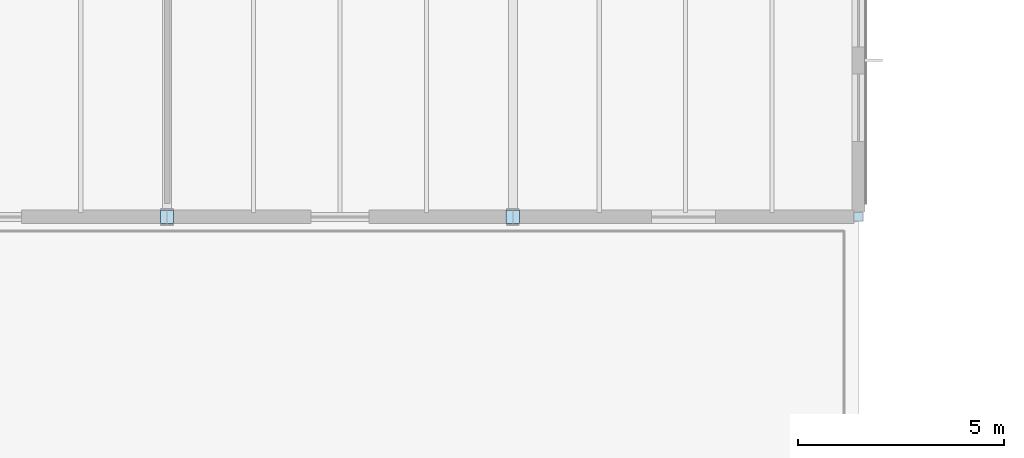
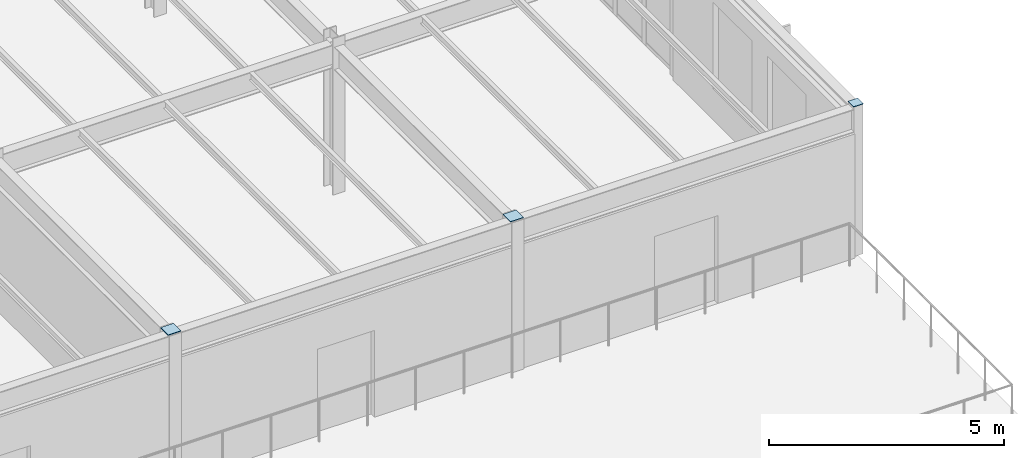
# One storey, part 82 of 114: 3 plates.
"""IFC4 building model written with IfcOpenShell, lengths in metres."""

from ifc_helpers import new_model, si_unit, direction, frame, origin, origin_2d, place, context, subcontext, project, spatial, rectangle, extrude, material, layer, layer_set, type_object, element, save


model = new_model("IFC4")

# Units and contexts
model_context = context("Model", 3, precision=1e-05, world=origin(), true_north=direction((0.0, 1.0)))
body_context = subcontext(model_context, "Body", "Model", "MODEL_VIEW")
ifc_project = project(units=[si_unit("LENGTHUNIT", "METRE"), si_unit("AREAUNIT", "SQUARE_METRE"), si_unit("VOLUMEUNIT", "CUBIC_METRE"), si_unit("PLANEANGLEUNIT", "RADIAN"), si_unit("MASSUNIT", "GRAM", prefix="KILO")], contexts=[model_context])

# Site, building, storey
site_placement = place(None, origin())
site = spatial("IfcSite", under=ifc_project, at=site_placement, CompositionType="ELEMENT")
building_placement = place(site_placement, origin())
building = spatial("IfcBuilding", under=site, at=building_placement, Name="Montecoro Central Library", CompositionType="ELEMENT")
storey_placement = place(building_placement, frame((0.0, 0.0, 13.260009765625)))
storey = spatial("IfcBuildingStorey", under=building, at=storey_placement, Name="L03", CompositionType="ELEMENT", Elevation=13.260009765625)

# Plates
ifc_material = material(Name="Steel S355", Category="steel")
ifc_layer = layer(ifc_material, 0.01611328125)
ifc_layer_set = layer_set([ifc_layer], Name="Steel S355")
plate_type = type_object("IfcPlateType", Name="PLT-CAP-16", PredefinedType="SHEET", material=ifc_layer_set)
for number, where, z_axis, x_axis, name in (
    (1, (100.0, 88.60009765625, 3.885009765625), (0.0, 0.0, 1.0), (1.0, 0.0, 0.0), "V2-L03-CAPPL-13-M"),
    (2, (108.39990234375, 88.60009765625, 3.885009765625), (0.0, 0.0, 1.0), (1.0, 0.0, 0.0), "V2-L03-CAPPL-14-M"),
):
    element("IfcPlate", number, at=place(storey_placement, frame(where, z_axis=z_axis, x_axis=x_axis)), inside=storey, type_object=plate_type, Name=name, PredefinedType="SHEET", context=body_context, shape_type="SweptSolid", body=[
        extrude(rectangle(XDim=0.320068359375, YDim=0.320068359375, at=origin_2d()), origin(), (0.0, 0.0, 1.0), 0.01611328125),
    ])
plate_placement = place(storey_placement, frame((116.800048828125, 88.60009765625, 3.885009765625), z_axis=(0.0, 0.0, 1.0), x_axis=(1.0, 0.0, 0.0)))
element("IfcPlate", 3, at=plate_placement, inside=storey, type_object=plate_type, Name="V2-L03-CAPPL-15-M", PredefinedType="SHEET", context=body_context, shape_type="SweptSolid", body=[
    extrude(rectangle(XDim=0.239990234375, YDim=0.239990234375, at=origin_2d()), origin(), (0.0, 0.0, 1.0), 0.01611328125),
])

save(model, "model.ifc")
